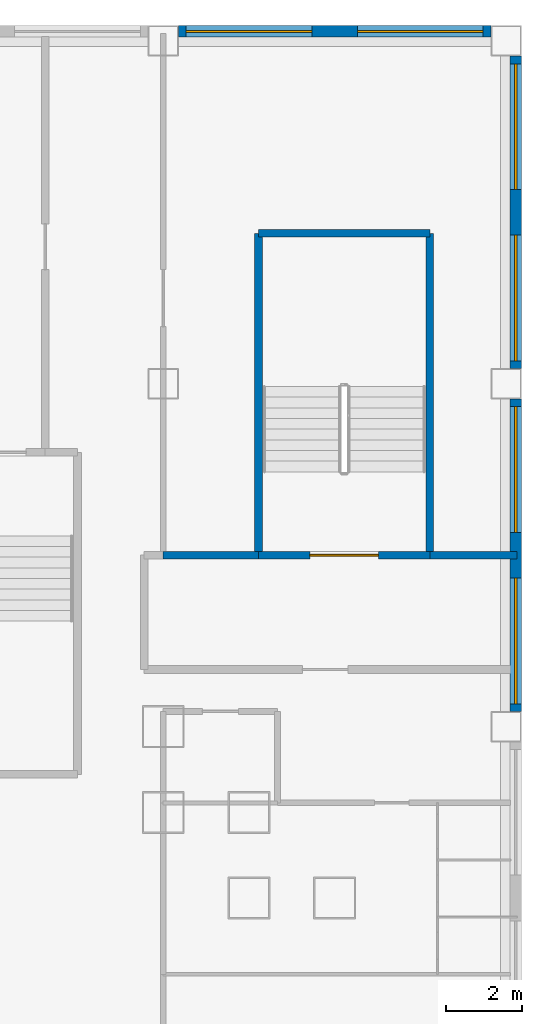
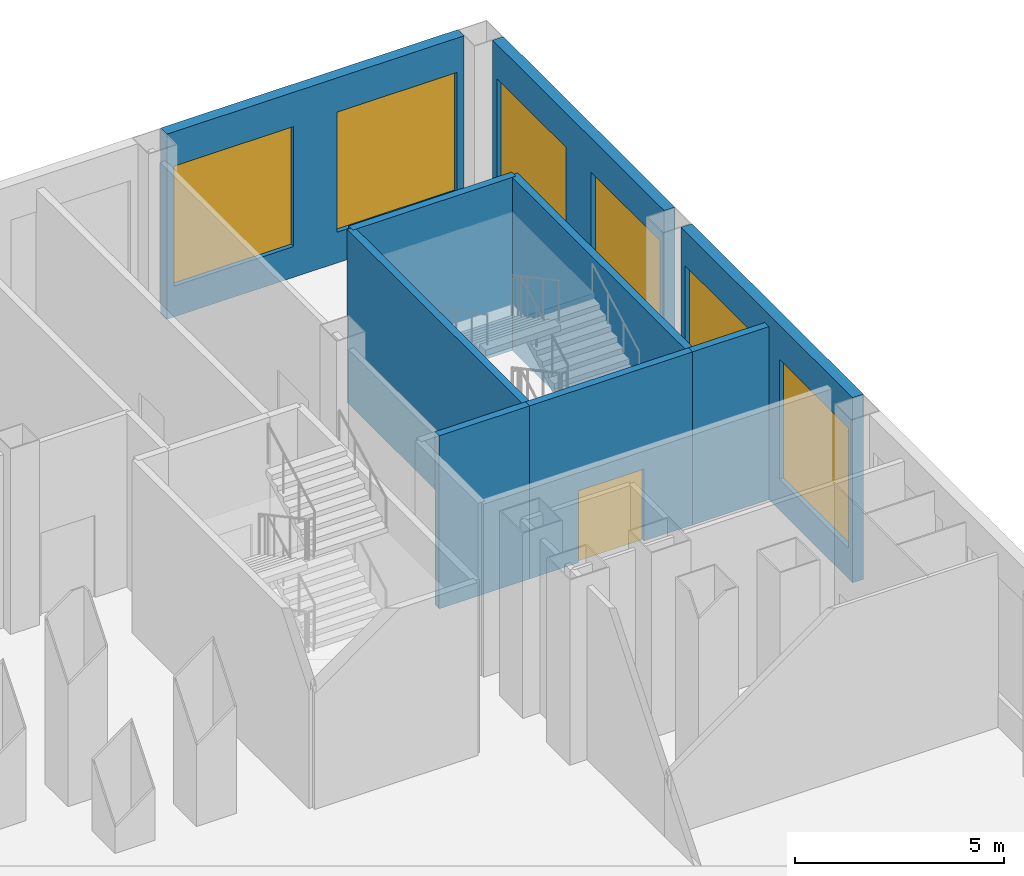
# One storey, part 9 of 27: 9 walls, 6 windows, 1 door, 7 openings.
"""IFC4 building model written with IfcOpenShell, lengths in metres."""

from ifc_helpers import new_model, si_unit, direction, frame, frame_2d, origin, place, context, subcontext, project, spatial, rectangle, extrude, material, layer, layer_set, type_object, element, fill, save


model = new_model("IFC4")

# Units and contexts
model_context = context("Model", 3, precision=1e-05, world=origin(), true_north=direction((0.0, 1.0)))
body_context = subcontext(model_context, "Body", "Model", "MODEL_VIEW")
ifc_project = project(units=[si_unit("LENGTHUNIT", "METRE"), si_unit("AREAUNIT", "SQUARE_METRE"), si_unit("VOLUMEUNIT", "CUBIC_METRE"), si_unit("PLANEANGLEUNIT", "RADIAN"), si_unit("MASSUNIT", "GRAM", prefix="KILO")], contexts=[model_context])

# Site, building, storey
site_placement = place(None, origin())
site = spatial("IfcSite", under=ifc_project, at=site_placement, CompositionType="ELEMENT")
building_placement = place(site_placement, origin())
building = spatial("IfcBuilding", under=site, at=building_placement, Name="Caravel Reach Hotel and Residences", CompositionType="ELEMENT")
storey_placement = place(building_placement, frame((0.0, 0.0, 6.60009765625)))
storey = spatial("IfcBuildingStorey", under=building, at=storey_placement, Name="L01", CompositionType="ELEMENT", Elevation=6.60009765625)

# Walls
ifc_material_1 = material(Name="Autoclaved aerated block wall")
ifc_layer_1 = layer(ifc_material_1, 0.199951171875)
ifc_layer_set_1 = layer_set([ifc_layer_1], Name="Compartment wall 200 mm EI 120")
wall_type_1 = type_object("IfcWallType", Name="Compartment wall 200 mm EI 120", PredefinedType="PARTITIONING", material=ifc_layer_set_1)
wall_1_placement = place(storey_placement, frame((58.5, 40.5, 0.0), z_axis=(0.0, 0.0, 1.0), x_axis=(1.0, 0.0, 0.0)))
element("IfcWall", 1, at=wall_1_placement, inside=storey, type_object=wall_type_1, Name="L01 wall w073", PredefinedType="PARTITIONING", context=body_context, shape_type="SweptSolid", body=[
    extrude(rectangle(XDim=2.5, YDim=0.199951171875, at=frame_2d((1.25, 0.0))), origin(), (0.0, 0.0, 1.0), 5.0498046875),
])
wall_2_placement = place(storey_placement, frame((65.5, 40.5, 0.0), z_axis=(0.0, 0.0, 1.0), x_axis=(1.0, 0.0, 0.0)))
element("IfcWall", 2, at=wall_2_placement, inside=storey, type_object=wall_type_1, Name="L01 wall w074", PredefinedType="PARTITIONING", context=body_context, shape_type="SweptSolid", body=[
    extrude(rectangle(XDim=2.2900390625, YDim=0.199951171875, at=frame_2d((1.14501953125, 0.0))), origin(), (0.0, 0.0, 1.0), 5.0498046875),
])

# Wall, openings, windows
ifc_material_2 = material(Name="Insulated wall, stone cladding", Category="masonry")
ifc_layer_2 = layer(ifc_material_2, 0.300048828125)
ifc_layer_set_2 = layer_set([ifc_layer_2], Name="EW2 Podium stone-clad wall")
wall_type_2 = type_object("IfcWallType", Name="EW2 Podium stone-clad wall", PredefinedType="SOLIDWALL", material=ifc_layer_set_2)
wall_3_placement = place(storey_placement, frame((67.75, 36.39990234375, 0.0), z_axis=(0.0, 0.0, 1.0), x_axis=(0.0, 1.0, 0.0)))
wall_3 = element("IfcWall", 3, at=wall_3_placement, inside=storey, type_object=wall_type_2, Name="External wall L01 E1.5", PredefinedType="SOLIDWALL", context=body_context, shape_type="SweptSolid", body=[
    extrude(rectangle(XDim=8.2001953125, YDim=0.300048828125, at=frame_2d((4.10009765625, 0.0))), origin(), (0.0, 0.0, 1.0), 5.39990234375),
])
opening_1_placement = place(wall_3_placement, frame((0.199951171875, 0.0, 0.89990234375)))
opening_1 = element("IfcOpeningElement", 4, at=opening_1_placement, cuts=wall_3, Name="Opening WN30", PredefinedType="OPENING", context=body_context, shape_type="SweptSolid", body=[
    extrude(rectangle(XDim=3.300048828125, YDim=3.5, at=frame_2d((1.64990234375, 1.75))), frame((0.0, 0.159912109375, 0.0), z_axis=(0.0, -1.0, 0.0), x_axis=(1.0, 0.0, 0.0)), (0.0, 0.0, 1.0), 0.320068359375),
])
opening_2_placement = place(wall_3_placement, frame((4.699951171875, 0.0, 0.89990234375)))
opening_2 = element("IfcOpeningElement", 5, at=opening_2_placement, cuts=wall_3, Name="Opening WN30", PredefinedType="OPENING", context=body_context, shape_type="SweptSolid", body=[
    extrude(rectangle(XDim=3.300048828125, YDim=3.5, at=frame_2d((1.64990234375, 1.75))), frame((0.0, 0.159912109375, 0.0), z_axis=(0.0, -1.0, 0.0), x_axis=(1.0, 0.0, 0.0)), (0.0, 0.0, 1.0), 0.320068359375),
])
ifc_material_3 = material(Name="Dark low-e glazing in black aluminium frame", Category="aluminium")
window_type = type_object("IfcWindowType", Name="Podium window 3300 x 3500", PartitioningType="SINGLE_PANEL", PredefinedType="WINDOW", material=ifc_material_3)
window_1_placement = place(opening_1_placement, origin())
window_1 = element("IfcWindow", 6, at=window_1_placement, inside=storey, type_object=window_type, Name="Window L01 E1.5.1", OverallHeight=3.5, OverallWidth=3.300048828125, PartitioningType="SINGLE_PANEL", PredefinedType="WINDOW", context=body_context, shape_type="SweptSolid", body=[
    extrude(rectangle(XDim=3.300048828125, YDim=3.5, at=frame_2d((1.64990234375, 1.75))), frame((0.0, 0.030029296875, 0.0), z_axis=(0.0, -1.0, 0.0), x_axis=(1.0, 0.0, 0.0)), (0.0, 0.0, 1.0), 0.06005859375),
])
fill(opening_1, window_1)
window_2_placement = place(opening_2_placement, origin())
window_2 = element("IfcWindow", 7, at=window_2_placement, inside=storey, type_object=window_type, Name="Window L01 E1.5.2", OverallHeight=3.5, OverallWidth=3.300048828125, PartitioningType="SINGLE_PANEL", PredefinedType="WINDOW", context=body_context, shape_type="SweptSolid", body=[
    extrude(rectangle(XDim=3.300048828125, YDim=3.5, at=frame_2d((1.64990234375, 1.75))), frame((0.0, 0.030029296875, 0.0), z_axis=(0.0, -1.0, 0.0), x_axis=(1.0, 0.0, 0.0)), (0.0, 0.0, 1.0), 0.06005859375),
])
fill(opening_2, window_2)

wall_4_placement = place(storey_placement, frame((67.75, 45.39990234375, 0.0), z_axis=(0.0, 0.0, 1.0), x_axis=(0.0, 1.0, 0.0)))
wall_4 = element("IfcWall", 8, at=wall_4_placement, inside=storey, type_object=wall_type_2, Name="External wall L01 E1.6", PredefinedType="SOLIDWALL", context=body_context, shape_type="SweptSolid", body=[
    extrude(rectangle(XDim=8.2001953125, YDim=0.300048828125, at=frame_2d((4.10009765625, 0.0))), origin(), (0.0, 0.0, 1.0), 5.39990234375),
])
opening_3_placement = place(wall_4_placement, frame((0.199951171875, 0.0, 0.89990234375)))
opening_3 = element("IfcOpeningElement", 9, at=opening_3_placement, cuts=wall_4, Name="Opening WN30", PredefinedType="OPENING", context=body_context, shape_type="SweptSolid", body=[
    extrude(rectangle(XDim=3.300048828125, YDim=3.5, at=frame_2d((1.64990234375, 1.75))), frame((0.0, 0.159912109375, 0.0), z_axis=(0.0, -1.0, 0.0), x_axis=(1.0, 0.0, 0.0)), (0.0, 0.0, 1.0), 0.320068359375),
])
opening_4_placement = place(wall_4_placement, frame((4.699951171875, 0.0, 0.89990234375)))
opening_4 = element("IfcOpeningElement", 10, at=opening_4_placement, cuts=wall_4, Name="Opening WN30", PredefinedType="OPENING", context=body_context, shape_type="SweptSolid", body=[
    extrude(rectangle(XDim=3.300048828125, YDim=3.5, at=frame_2d((1.64990234375, 1.75))), frame((0.0, 0.159912109375, 0.0), z_axis=(0.0, -1.0, 0.0), x_axis=(1.0, 0.0, 0.0)), (0.0, 0.0, 1.0), 0.320068359375),
])
window_3_placement = place(opening_3_placement, origin())
window_3 = element("IfcWindow", 11, at=window_3_placement, inside=storey, type_object=window_type, Name="Window L01 E1.6.1", OverallHeight=3.5, OverallWidth=3.300048828125, PartitioningType="SINGLE_PANEL", PredefinedType="WINDOW", context=body_context, shape_type="SweptSolid", body=[
    extrude(rectangle(XDim=3.300048828125, YDim=3.5, at=frame_2d((1.64990234375, 1.75))), frame((0.0, 0.030029296875, 0.0), z_axis=(0.0, -1.0, 0.0), x_axis=(1.0, 0.0, 0.0)), (0.0, 0.0, 1.0), 0.06005859375),
])
fill(opening_3, window_3)
window_4_placement = place(opening_4_placement, origin())
window_4 = element("IfcWindow", 12, at=window_4_placement, inside=storey, type_object=window_type, Name="Window L01 E1.6.2", OverallHeight=3.5, OverallWidth=3.300048828125, PartitioningType="SINGLE_PANEL", PredefinedType="WINDOW", context=body_context, shape_type="SweptSolid", body=[
    extrude(rectangle(XDim=3.300048828125, YDim=3.5, at=frame_2d((1.64990234375, 1.75))), frame((0.0, 0.030029296875, 0.0), z_axis=(0.0, -1.0, 0.0), x_axis=(1.0, 0.0, 0.0)), (0.0, 0.0, 1.0), 0.06005859375),
])
fill(opening_4, window_4)

wall_5_placement = place(storey_placement, frame((67.10009765625, 54.25, 0.0), z_axis=(0.0, 0.0, 1.0), x_axis=(-1.0, 0.0, 0.0)))
wall_5 = element("IfcWall", 13, at=wall_5_placement, inside=storey, type_object=wall_type_2, Name="External wall L01 N2.1", PredefinedType="SOLIDWALL", context=body_context, shape_type="SweptSolid", body=[
    extrude(rectangle(XDim=8.2001953125, YDim=0.300048828125, at=frame_2d((4.10009765625, 0.0))), origin(), (0.0, 0.0, 1.0), 5.39990234375),
])
opening_5_placement = place(wall_5_placement, frame((0.199951171875, 0.0, 0.89990234375)))
opening_5 = element("IfcOpeningElement", 14, at=opening_5_placement, cuts=wall_5, Name="Opening WN30", PredefinedType="OPENING", context=body_context, shape_type="SweptSolid", body=[
    extrude(rectangle(XDim=3.300048828125, YDim=3.5, at=frame_2d((1.64990234375, 1.75))), frame((0.0, 0.159912109375, 0.0), z_axis=(0.0, -1.0, 0.0), x_axis=(1.0, 0.0, 0.0)), (0.0, 0.0, 1.0), 0.320068359375),
])
opening_6_placement = place(wall_5_placement, frame((4.699951171875, 0.0, 0.89990234375)))
opening_6 = element("IfcOpeningElement", 15, at=opening_6_placement, cuts=wall_5, Name="Opening WN30", PredefinedType="OPENING", context=body_context, shape_type="SweptSolid", body=[
    extrude(rectangle(XDim=3.300048828125, YDim=3.5, at=frame_2d((1.64990234375, 1.75))), frame((0.0, 0.159912109375, 0.0), z_axis=(0.0, -1.0, 0.0), x_axis=(1.0, 0.0, 0.0)), (0.0, 0.0, 1.0), 0.320068359375),
])
window_5_placement = place(opening_5_placement, origin())
window_5 = element("IfcWindow", 16, at=window_5_placement, inside=storey, type_object=window_type, Name="Window L01 N2.1.1", OverallHeight=3.5, OverallWidth=3.300048828125, PartitioningType="SINGLE_PANEL", PredefinedType="WINDOW", context=body_context, shape_type="SweptSolid", body=[
    extrude(rectangle(XDim=3.300048828125, YDim=3.5, at=frame_2d((1.64990234375, 1.75))), frame((0.0, 0.030029296875, 0.0), z_axis=(0.0, -1.0, 0.0), x_axis=(1.0, 0.0, 0.0)), (0.0, 0.0, 1.0), 0.06005859375),
])
fill(opening_5, window_5)
window_6_placement = place(opening_6_placement, origin())
window_6 = element("IfcWindow", 17, at=window_6_placement, inside=storey, type_object=window_type, Name="Window L01 N2.1.2", OverallHeight=3.5, OverallWidth=3.300048828125, PartitioningType="SINGLE_PANEL", PredefinedType="WINDOW", context=body_context, shape_type="SweptSolid", body=[
    extrude(rectangle(XDim=3.300048828125, YDim=3.5, at=frame_2d((1.64990234375, 1.75))), frame((0.0, 0.030029296875, 0.0), z_axis=(0.0, -1.0, 0.0), x_axis=(1.0, 0.0, 0.0)), (0.0, 0.0, 1.0), 0.06005859375),
])
fill(opening_6, window_6)

# Wall, opening, door
ifc_material_4 = material(Name="Concrete C60", Category="concrete")
ifc_layer_3 = layer(ifc_material_4, 0.199951171875)
ifc_layer_set_3 = layer_set([ifc_layer_3], Name="Stair enclosure wall 200 mm EI 120")
wall_type_3 = type_object("IfcWallType", Name="Stair enclosure wall 200 mm EI 120", PredefinedType="SHEAR", material=ifc_layer_set_3)
wall_6_placement = place(storey_placement, frame((61.0, 40.5, 0.0), z_axis=(0.0, 0.0, 1.0), x_axis=(1.0, 0.0, 0.0)))
wall_6 = element("IfcWall", 18, at=wall_6_placement, inside=storey, type_object=wall_type_3, Name="L01 wall w104", PredefinedType="SHEAR", context=body_context, shape_type="SweptSolid", body=[
    extrude(rectangle(XDim=4.5, YDim=0.199951171875, at=frame_2d((2.25, 0.0))), origin(), (0.0, 0.0, 1.0), 5.0498046875),
])
opening_7_placement = place(wall_6_placement, frame((1.35009765625, 0.0, 0.0)))
opening_7 = element("IfcOpeningElement", 19, at=opening_7_placement, cuts=wall_6, Name="Opening D01-025", PredefinedType="OPENING", context=body_context, shape_type="SweptSolid", body=[
    extrude(rectangle(XDim=1.800048828125, YDim=2.10009765625, at=frame_2d((0.89990234375, 1.050048828125))), frame((0.0, 0.10986328125, 0.0), z_axis=(0.0, -1.0, 0.0), x_axis=(1.0, 0.0, 0.0)), (0.0, 0.0, 1.0), 0.219970703125),
])
ifc_material_5 = material(Name="Steel fire door leaf", Category="steel")
door_type = type_object("IfcDoorType", Name="Stair door pair 1800 x 2100 EI 90", OperationType="DOUBLE_DOOR_SINGLE_SWING", PredefinedType="DOOR", material=ifc_material_5)
door_placement = place(opening_7_placement, origin())
door = element("IfcDoor", 20, at=door_placement, inside=storey, type_object=door_type, Name="door D01-025", OperationType="DOUBLE_DOOR_SINGLE_SWING", OverallHeight=2.10009765625, OverallWidth=1.800048828125, PredefinedType="DOOR", context=body_context, shape_type="SweptSolid", body=[
    extrude(rectangle(XDim=1.800048828125, YDim=2.10009765625, at=frame_2d((0.89990234375, 1.050048828125))), frame((0.0, 0.02490234375, 0.0), z_axis=(0.0, -1.0, 0.0), x_axis=(1.0, 0.0, 0.0)), (0.0, 0.0, 1.0), 0.050048828125),
])
fill(opening_7, door)

# Walls
wall_7_placement = place(storey_placement, frame((61.0, 48.949951171875, 0.0), z_axis=(0.0, 0.0, 1.0), x_axis=(1.0, 0.0, 0.0)))
element("IfcWall", 21, at=wall_7_placement, inside=storey, type_object=wall_type_3, Name="L01 wall w112", PredefinedType="SHEAR", context=body_context, shape_type="SweptSolid", body=[
    extrude(rectangle(XDim=4.5, YDim=0.199951171875, at=frame_2d((2.25, 0.0))), origin(), (0.0, 0.0, 1.0), 5.0498046875),
])
for number, where, z_axis, x_axis, name in (
    (22, (61.0, 40.5, 0.0), (0.0, 0.0, 1.0), (0.0, 1.0, 0.0), "L01 wall w124"),
    (23, (65.5, 40.5, 0.0), (0.0, 0.0, 1.0), (0.0, 1.0, 0.0), "L01 wall w126"),
):
    element("IfcWall", number, at=place(storey_placement, frame(where, z_axis=z_axis, x_axis=x_axis)), inside=storey, type_object=wall_type_3, Name=name, PredefinedType="SHEAR", context=body_context, shape_type="SweptSolid", body=[
        extrude(rectangle(XDim=8.449951171875, YDim=0.199951171875, at=frame_2d((4.22509765625, 0.0))), origin(), (0.0, 0.0, 1.0), 5.0498046875),
    ])

save(model, "model.ifc")
